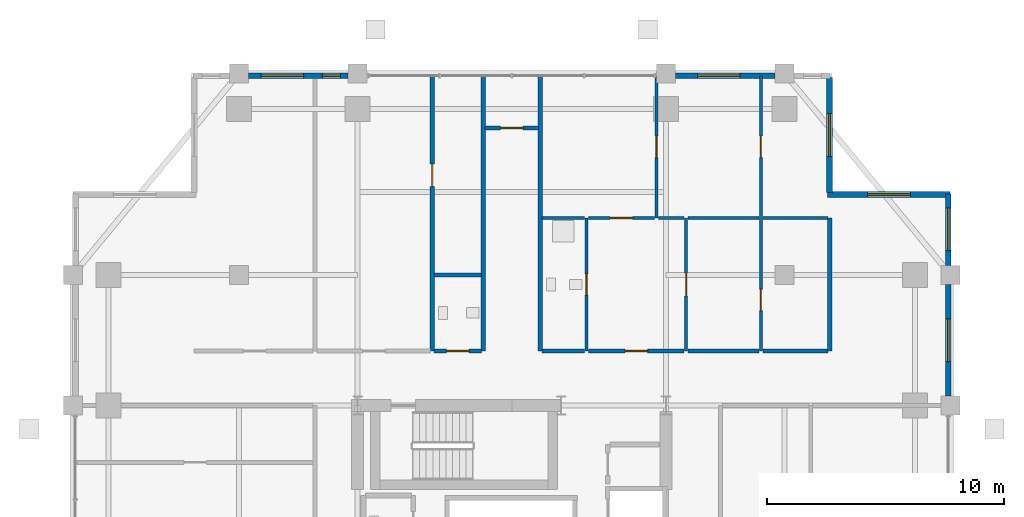
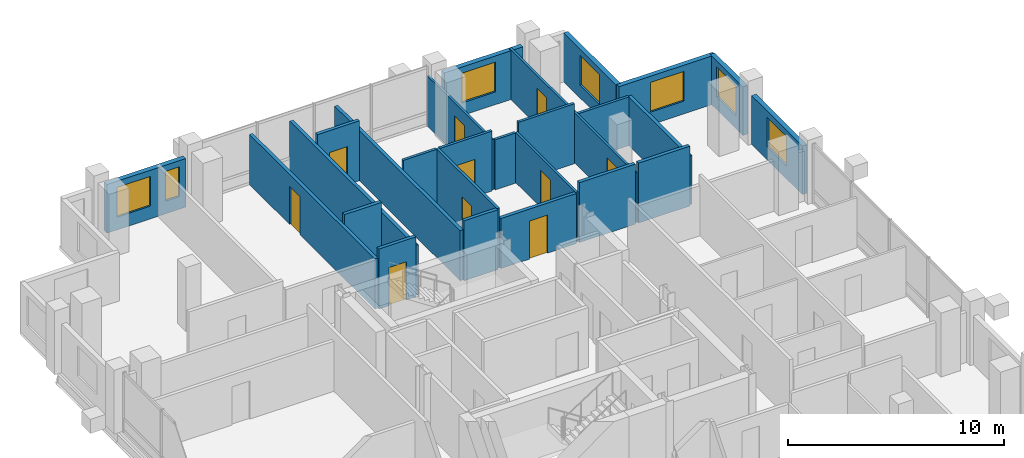
# One storey, part 21 of 24: 26 walls, 10 doors, 7 windows, 17 openings.
"""IFC4 building model written with IfcOpenShell, lengths in metres."""

from ifc_helpers import new_model, si_unit, direction, frame, frame_2d, origin, place, context, subcontext, project, spatial, rectangle, extrude, material, layer, layer_set, type_object, element, fill, save


model = new_model("IFC4")

# Units and contexts
model_context = context("Model", 3, precision=1e-05, world=origin(), true_north=direction((0.0, 1.0)))
body_context = subcontext(model_context, "Body", "Model", "MODEL_VIEW")
ifc_project = project(units=[si_unit("LENGTHUNIT", "METRE"), si_unit("AREAUNIT", "SQUARE_METRE"), si_unit("VOLUMEUNIT", "CUBIC_METRE"), si_unit("PLANEANGLEUNIT", "RADIAN"), si_unit("MASSUNIT", "GRAM", prefix="KILO")], contexts=[model_context])

# Site, building, storey
site_placement = place(None, origin())
site = spatial("IfcSite", under=ifc_project, at=site_placement, CompositionType="ELEMENT")
building_placement = place(site_placement, origin())
building = spatial("IfcBuilding", under=site, at=building_placement, Name="Barlavira Tower and Art Museum", CompositionType="ELEMENT")
storey_placement = place(building_placement, frame((0.0, 0.0, 180.0)))
storey = spatial("IfcBuildingStorey", under=building, at=storey_placement, Name="L46", CompositionType="ELEMENT", Elevation=180.0)

# Wall, opening, door
ifc_material_1 = material(Name="Gypsum acoustic stud partition", Category="gypsum")
ifc_layer_1 = layer(ifc_material_1, 0.1201171875, Name="Gypsum acoustic stud partition")
ifc_layer_set_1 = layer_set([ifc_layer_1], Name="Gypsum acoustic stud partition")
wall_type_1 = type_object("IfcWallType", Name="Apartment Internal Acoustic Partition 120", PredefinedType="PARTITIONING", material=ifc_layer_set_1)
wall_1_placement = place(storey_placement, frame((6.10009765625, 15.39990234375, 0.0), z_axis=(0.0, 0.0, 1.0), x_axis=(0.0, 1.0, 0.0)))
wall_1 = element("IfcWall", 1, at=wall_1_placement, inside=storey, type_object=wall_type_1, Name="L46 Partition Wall 16", PredefinedType="PARTITIONING", context=body_context, shape_type="SweptSolid", body=[
    extrude(rectangle(XDim=6.0, YDim=0.1201171875, at=frame_2d((3.0, 0.0))), origin(), (0.0, 0.0, 1.0), 2.825927734375),
])
opening_1_placement = place(wall_1_placement, frame((2.550048828125, 0.0, 0.0)))
opening_1 = element("IfcOpeningElement", 2, at=opening_1_placement, cuts=wall_1, Name="Opening D-01", PredefinedType="OPENING", context=body_context, shape_type="SweptSolid", body=[
    extrude(rectangle(XDim=0.89990234375, YDim=2.10009765625, at=frame_2d((0.449951171875, 1.050048828125))), frame((0.0, 0.070068359375, 0.0), z_axis=(0.0, -1.0, 0.0), x_axis=(1.0, 0.0, 0.0)), (0.0, 0.0, 1.0), 0.14013671875),
])
ifc_material_2 = material(Name="Engineered coastal hardwood", Category="wood")
door_type_1 = type_object("IfcDoorType", Name="Internal Bedroom Timber Flush Door 900x2100", OperationType="NOTDEFINED", PredefinedType="DOOR", material=ifc_material_2)
door_1_placement = place(opening_1_placement, origin())
door_1 = element("IfcDoor", 3, at=door_1_placement, inside=storey, type_object=door_type_1, Name="Apartment NE1 Bedroom 1 Door", OperationType="SINGLE_SWING_LEFT", OverallHeight=2.10009765625, OverallWidth=0.89990234375, PredefinedType="DOOR", context=body_context, shape_type="SweptSolid", body=[
    extrude(rectangle(XDim=0.89990234375, YDim=2.10009765625, at=frame_2d((0.449951171875, 1.050048828125))), frame((0.0, 0.02490234375, 0.0), z_axis=(0.0, -1.0, 0.0), x_axis=(1.0, 0.0, 0.0)), (0.0, 0.0, 1.0), 0.050048828125),
])
fill(opening_1, door_1)

wall_2_placement = place(storey_placement, frame((7.35009765625, 9.800048828125, 0.0), z_axis=(0.0, 0.0, 1.0), x_axis=(0.0, 1.0, 0.0)))
wall_2 = element("IfcWall", 4, at=wall_2_placement, inside=storey, type_object=wall_type_1, Name="L46 Partition Wall 18", PredefinedType="PARTITIONING", context=body_context, shape_type="SweptSolid", body=[
    extrude(rectangle(XDim=5.599853515625, YDim=0.1201171875, at=frame_2d((2.7998046875, 0.0))), origin(), (0.0, 0.0, 1.0), 2.825927734375),
])
opening_2_placement = place(wall_2_placement, frame((2.324951171875, 0.0, 0.0)))
opening_2 = element("IfcOpeningElement", 5, at=opening_2_placement, cuts=wall_2, Name="Opening D-02", PredefinedType="OPENING", context=body_context, shape_type="SweptSolid", body=[
    extrude(rectangle(XDim=0.949951171875, YDim=2.10009765625, at=frame_2d((0.47509765625, 1.050048828125))), frame((0.0, 0.070068359375, 0.0), z_axis=(0.0, -1.0, 0.0), x_axis=(1.0, 0.0, 0.0)), (0.0, 0.0, 1.0), 0.14013671875),
])
door_type_2 = type_object("IfcDoorType", Name="Living and Salon Glazed-Leaf Door 950x2100", OperationType="NOTDEFINED", PredefinedType="DOOR", material=ifc_material_2)
door_2_placement = place(opening_2_placement, origin())
door_2 = element("IfcDoor", 6, at=door_2_placement, inside=storey, type_object=door_type_2, Name="Apartment NE1 Kitchen Door", OperationType="SINGLE_SWING_RIGHT", OverallHeight=2.10009765625, OverallWidth=0.949951171875, PredefinedType="DOOR", context=body_context, shape_type="SweptSolid", body=[
    extrude(rectangle(XDim=0.949951171875, YDim=2.10009765625, at=frame_2d((0.47509765625, 1.050048828125))), frame((0.0, 0.02490234375, 0.0), z_axis=(0.0, -1.0, 0.0), x_axis=(1.0, 0.0, 0.0)), (0.0, 0.0, 1.0), 0.050048828125),
])
fill(opening_2, door_2)

# Wall, openings, doors
wall_3_placement = place(storey_placement, frame((10.5, 9.800048828125, 0.0), z_axis=(0.0, 0.0, 1.0), x_axis=(0.0, 1.0, 0.0)))
wall_3 = element("IfcWall", 7, at=wall_3_placement, inside=storey, type_object=wall_type_1, Name="L46 Partition Wall 21", PredefinedType="PARTITIONING", context=body_context, shape_type="SweptSolid", body=[
    extrude(rectangle(XDim=11.599853515625, YDim=0.1201171875, at=frame_2d((5.7998046875, 0.0))), origin(), (0.0, 0.0, 1.0), 2.825927734375),
])
opening_3_placement = place(wall_3_placement, frame((1.694091796875, 0.0, 0.0)))
opening_3 = element("IfcOpeningElement", 8, at=opening_3_placement, cuts=wall_3, Name="Opening D-01", PredefinedType="OPENING", context=body_context, shape_type="SweptSolid", body=[
    extrude(rectangle(XDim=0.89990234375, YDim=2.10009765625, at=frame_2d((0.449951171875, 1.050048828125))), frame((0.0, 0.070068359375, 0.0), z_axis=(0.0, -1.0, 0.0), x_axis=(1.0, 0.0, 0.0)), (0.0, 0.0, 1.0), 0.14013671875),
])
opening_4_placement = place(wall_3_placement, frame((8.14990234375, 0.0, 0.0)))
opening_4 = element("IfcOpeningElement", 9, at=opening_4_placement, cuts=wall_3, Name="Opening D-01", PredefinedType="OPENING", context=body_context, shape_type="SweptSolid", body=[
    extrude(rectangle(XDim=0.89990234375, YDim=2.10009765625, at=frame_2d((0.449951171875, 1.050048828125))), frame((0.0, 0.070068359375, 0.0), z_axis=(0.0, -1.0, 0.0), x_axis=(1.0, 0.0, 0.0)), (0.0, 0.0, 1.0), 0.14013671875),
])
door_3_placement = place(opening_3_placement, origin())
door_3 = element("IfcDoor", 10, at=door_3_placement, inside=storey, type_object=door_type_1, Name="Apartment NE1 Walk-In Dressing Room Door", OperationType="SINGLE_SWING_LEFT", OverallHeight=2.10009765625, OverallWidth=0.89990234375, PredefinedType="DOOR", context=body_context, shape_type="SweptSolid", body=[
    extrude(rectangle(XDim=0.89990234375, YDim=2.10009765625, at=frame_2d((0.449951171875, 1.050048828125))), frame((0.0, 0.02490234375, 0.0), z_axis=(0.0, -1.0, 0.0), x_axis=(1.0, 0.0, 0.0)), (0.0, 0.0, 1.0), 0.050048828125),
])
fill(opening_3, door_3)
door_4_placement = place(opening_4_placement, origin())
door_4 = element("IfcDoor", 11, at=door_4_placement, inside=storey, type_object=door_type_1, Name="Apartment NE1 Bedroom 2 Door", OperationType="SINGLE_SWING_RIGHT", OverallHeight=2.10009765625, OverallWidth=0.89990234375, PredefinedType="DOOR", context=body_context, shape_type="SweptSolid", body=[
    extrude(rectangle(XDim=0.89990234375, YDim=2.10009765625, at=frame_2d((0.449951171875, 1.050048828125))), frame((0.0, 0.02490234375, 0.0), z_axis=(0.0, -1.0, 0.0), x_axis=(1.0, 0.0, 0.0)), (0.0, 0.0, 1.0), 0.050048828125),
])
fill(opening_4, door_4)

# Wall, opening, door
ifc_layer_2 = layer(ifc_material_1, 0.179931640625, Name="Gypsum acoustic stud partition")
ifc_layer_set_2 = layer_set([ifc_layer_2], Name="Gypsum acoustic stud partition")
wall_type_2 = type_object("IfcWallType", Name="Inter-Tenancy Party Partition Wall 180", PredefinedType="PARTITIONING", material=ifc_layer_set_2)
wall_4_placement = place(storey_placement, frame((-3.35009765625, 9.800048828125, 0.0), z_axis=(0.0, 0.0, 1.0), x_axis=(0.0, 1.0, 0.0)))
wall_4 = element("IfcWall", 12, at=wall_4_placement, inside=storey, type_object=wall_type_2, Name="L46 Partition Wall 7", PredefinedType="PARTITIONING", context=body_context, shape_type="SweptSolid", body=[
    extrude(rectangle(XDim=11.599853515625, YDim=0.179931640625, at=frame_2d((5.7998046875, 0.0))), origin(), (0.0, 0.0, 1.0), 2.825927734375),
])
opening_5_placement = place(wall_4_placement, frame((6.925048828125, 0.0, 0.0)))
opening_5 = element("IfcOpeningElement", 13, at=opening_5_placement, cuts=wall_4, Name="Opening FD-60", PredefinedType="OPENING", context=body_context, shape_type="SweptSolid", body=[
    extrude(rectangle(XDim=0.949951171875, YDim=2.14990234375, at=frame_2d((0.47509765625, 1.074951171875))), frame((0.0, 0.10009765625, 0.0), z_axis=(0.0, -1.0, 0.0), x_axis=(1.0, 0.0, 0.0)), (0.0, 0.0, 1.0), 0.199951171875),
])
ifc_material_3 = material(Name="Brushed stainless steel", Category="steel")
door_type_3 = type_object("IfcDoorType", Name="Apartment Entrance and Riser Fire Door 950x2150 FD60S", OperationType="NOTDEFINED", PredefinedType="DOOR", material=ifc_material_3)
door_5_placement = place(opening_5_placement, origin())
door_5 = element("IfcDoor", 14, at=door_5_placement, inside=storey, type_object=door_type_3, Name="Thermal Relaxation Lounge Door", OperationType="SINGLE_SWING_LEFT", OverallHeight=2.14990234375, OverallWidth=0.949951171875, PredefinedType="DOOR", context=body_context, shape_type="SweptSolid", body=[
    extrude(rectangle(XDim=0.949951171875, YDim=2.14990234375, at=frame_2d((0.47509765625, 1.074951171875))), frame((0.0, 0.02490234375, 0.0), z_axis=(0.0, -1.0, 0.0), x_axis=(1.0, 0.0, 0.0)), (0.0, 0.0, 1.0), 0.050048828125),
])
fill(opening_5, door_5)

# Walls
for number, where, z_axis, x_axis, name in (
    (15, (-1.199951171875, 9.800048828125, 0.0), (0.0, 0.0, 1.0), (0.0, 1.0, 0.0), "L46 Partition Wall 9"),
    (16, (1.199951171875, 9.800048828125, 0.0), (0.0, 0.0, 1.0), (0.0, 1.0, 0.0), "L46 Partition Wall 11"),
):
    element("IfcWall", number, at=place(storey_placement, frame(where, z_axis=z_axis, x_axis=x_axis)), inside=storey, type_object=wall_type_2, Name=name, PredefinedType="PARTITIONING", context=body_context, shape_type="SweptSolid", body=[
        extrude(rectangle(XDim=11.599853515625, YDim=0.179931640625, at=frame_2d((5.7998046875, 0.0))), origin(), (0.0, 0.0, 1.0), 2.825927734375),
    ])
wall_5_placement = place(storey_placement, frame((13.39990234375, 9.800048828125, 0.0), z_axis=(0.0, 0.0, 1.0), x_axis=(0.0, 1.0, 0.0)))
element("IfcWall", 17, at=wall_5_placement, inside=storey, type_object=wall_type_2, Name="L46 Partition Wall 24", PredefinedType="PARTITIONING", context=body_context, shape_type="SweptSolid", body=[
    extrude(rectangle(XDim=5.599853515625, YDim=0.179931640625, at=frame_2d((2.7998046875, 0.0))), origin(), (0.0, 0.0, 1.0), 2.748046875),
])

# Wall, opening, door
wall_6_placement = place(storey_placement, frame((-3.27001953125, 9.800048828125, 0.0), z_axis=(0.0, 0.0, 1.0), x_axis=(1.0, 0.0, 0.0)))
wall_6 = element("IfcWall", 18, at=wall_6_placement, inside=storey, type_object=wall_type_2, Name="L46 Partition Wall 57", PredefinedType="PARTITIONING", context=body_context, shape_type="SweptSolid", body=[
    extrude(rectangle(XDim=1.989990234375, YDim=0.179931640625, at=frame_2d((0.9951171875, 0.0))), origin(), (0.0, 0.0, 1.0), 3.3798828125),
])
opening_6_placement = place(wall_6_placement, frame((0.52490234375, 0.0, 0.0)))
opening_6 = element("IfcOpeningElement", 19, at=opening_6_placement, cuts=wall_6, Name="Opening FD-60", PredefinedType="OPENING", context=body_context, shape_type="SweptSolid", body=[
    extrude(rectangle(XDim=0.949951171875, YDim=2.14990234375, at=frame_2d((0.47509765625, 1.074951171875))), frame((0.0, 0.10009765625, 0.0), z_axis=(0.0, -1.0, 0.0), x_axis=(1.0, 0.0, 0.0)), (0.0, 0.0, 1.0), 0.199951171875),
])
door_6_placement = place(opening_6_placement, origin())
door_6 = element("IfcDoor", 20, at=door_6_placement, inside=storey, type_object=door_type_3, Name="Wellness Changing and Accessible Shower WC Door", OperationType="SINGLE_SWING_RIGHT", OverallHeight=2.14990234375, OverallWidth=0.949951171875, PredefinedType="DOOR", context=body_context, shape_type="SweptSolid", body=[
    extrude(rectangle(XDim=0.949951171875, YDim=2.14990234375, at=frame_2d((0.47509765625, 1.074951171875))), frame((0.0, 0.02490234375, 0.0), z_axis=(0.0, -1.0, 0.0), x_axis=(1.0, 0.0, 0.0)), (0.0, 0.0, 1.0), 0.050048828125),
])
fill(opening_6, door_6)

# Wall
wall_7_placement = place(storey_placement, frame((1.280029296875, 9.800048828125, 0.0), z_axis=(0.0, 0.0, 1.0), x_axis=(1.0, 0.0, 0.0)))
element("IfcWall", 21, at=wall_7_placement, inside=storey, type_object=wall_type_2, Name="L46 Partition Wall 58", PredefinedType="PARTITIONING", context=body_context, shape_type="SweptSolid", body=[
    extrude(rectangle(XDim=1.7900390625, YDim=0.179931640625, at=frame_2d((0.89501953125, 0.0))), origin(), (0.0, 0.0, 1.0), 3.3798828125),
])

# Wall, opening, door
wall_8_placement = place(storey_placement, frame((3.22998046875, 9.800048828125, 0.0), z_axis=(0.0, 0.0, 1.0), x_axis=(1.0, 0.0, 0.0)))
wall_8 = element("IfcWall", 22, at=wall_8_placement, inside=storey, type_object=wall_type_2, Name="L46 Partition Wall 59", PredefinedType="PARTITIONING", context=body_context, shape_type="SweptSolid", body=[
    extrude(rectangle(XDim=4.0400390625, YDim=0.179931640625, at=frame_2d((2.02001953125, 0.0))), origin(), (0.0, 0.0, 1.0), 2.825927734375),
])
opening_7_placement = place(wall_8_placement, frame((1.544921875, 0.0, 0.0)))
opening_7 = element("IfcOpeningElement", 23, at=opening_7_placement, cuts=wall_8, Name="Opening FD-60", PredefinedType="OPENING", context=body_context, shape_type="SweptSolid", body=[
    extrude(rectangle(XDim=0.949951171875, YDim=2.14990234375, at=frame_2d((0.47509765625, 1.074951171875))), frame((0.0, 0.10009765625, 0.0), z_axis=(0.0, -1.0, 0.0), x_axis=(1.0, 0.0, 0.0)), (0.0, 0.0, 1.0), 0.199951171875),
])
door_7_placement = place(opening_7_placement, origin())
door_7 = element("IfcDoor", 24, at=door_7_placement, inside=storey, type_object=door_type_3, Name="Apartment Entrance Hall NE1 Door", OperationType="SINGLE_SWING_LEFT", OverallHeight=2.14990234375, OverallWidth=0.949951171875, PredefinedType="DOOR", context=body_context, shape_type="SweptSolid", body=[
    extrude(rectangle(XDim=0.949951171875, YDim=2.14990234375, at=frame_2d((0.47509765625, 1.074951171875))), frame((0.0, 0.02490234375, 0.0), z_axis=(0.0, -1.0, 0.0), x_axis=(1.0, 0.0, 0.0)), (0.0, 0.0, 1.0), 0.050048828125),
])
fill(opening_7, door_7)

# Walls
wall_9_placement = place(storey_placement, frame((7.429931640625, 9.800048828125, 0.0), z_axis=(0.0, 0.0, 1.0), x_axis=(1.0, 0.0, 0.0)))
element("IfcWall", 25, at=wall_9_placement, inside=storey, type_object=wall_type_2, Name="L46 Partition Wall 60", PredefinedType="PARTITIONING", context=body_context, shape_type="SweptSolid", body=[
    extrude(rectangle(XDim=2.989990234375, YDim=0.179931640625, at=frame_2d((1.4951171875, 0.0))), origin(), (0.0, 0.0, 1.0), 3.3798828125),
])
wall_10_placement = place(storey_placement, frame((10.580078125, 9.800048828125, 0.0), z_axis=(0.0, 0.0, 1.0), x_axis=(1.0, 0.0, 0.0)))
element("IfcWall", 26, at=wall_10_placement, inside=storey, type_object=wall_type_2, Name="L46 Partition Wall 61", PredefinedType="PARTITIONING", context=body_context, shape_type="SweptSolid", body=[
    extrude(rectangle(XDim=2.739990234375, YDim=0.179931640625, at=frame_2d((1.3701171875, 0.0))), origin(), (0.0, 0.0, 1.0), 3.3798828125),
])
wall_11_placement = place(storey_placement, frame((-3.27001953125, 13.0, 0.0), z_axis=(0.0, 0.0, 1.0), x_axis=(1.0, 0.0, 0.0)))
element("IfcWall", 27, at=wall_11_placement, inside=storey, type_object=wall_type_2, Name="L46 Partition Wall 62", PredefinedType="PARTITIONING", context=body_context, shape_type="SweptSolid", body=[
    extrude(rectangle(XDim=1.989990234375, YDim=0.179931640625, at=frame_2d((0.9951171875, 0.0))), origin(), (0.0, 0.0, 1.0), 3.3798828125),
])

# Wall, opening, door
wall_12_placement = place(storey_placement, frame((-1.1201171875, 19.199951171875, 0.0), z_axis=(0.0, 0.0, 1.0), x_axis=(1.0, 0.0, 0.0)))
wall_12 = element("IfcWall", 28, at=wall_12_placement, inside=storey, type_object=wall_type_2, Name="L46 Partition Wall 68", PredefinedType="PARTITIONING", context=body_context, shape_type="SweptSolid", body=[
    extrude(rectangle(XDim=2.240234375, YDim=0.179931640625, at=frame_2d((1.1201171875, 0.0))), origin(), (0.0, 0.0, 1.0), 3.3798828125),
])
opening_8_placement = place(wall_12_placement, frame((0.64501953125, 0.0, 0.0)))
opening_8 = element("IfcOpeningElement", 29, at=opening_8_placement, cuts=wall_12, Name="Opening FD-60", PredefinedType="OPENING", context=body_context, shape_type="SweptSolid", body=[
    extrude(rectangle(XDim=0.949951171875, YDim=2.14990234375, at=frame_2d((0.47509765625, 1.074951171875))), frame((0.0, 0.10009765625, 0.0), z_axis=(0.0, -1.0, 0.0), x_axis=(1.0, 0.0, 0.0)), (0.0, 0.0, 1.0), 0.199951171875),
])
door_8_placement = place(opening_8_placement, origin())
door_8 = element("IfcDoor", 30, at=door_8_placement, inside=storey, type_object=door_type_3, Name="L46 North Ocean Alcove Door", OperationType="SINGLE_SWING_LEFT", OverallHeight=2.14990234375, OverallWidth=0.949951171875, PredefinedType="DOOR", context=body_context, shape_type="SweptSolid", body=[
    extrude(rectangle(XDim=0.949951171875, YDim=2.14990234375, at=frame_2d((0.47509765625, 1.074951171875))), frame((0.0, 0.02490234375, 0.0), z_axis=(0.0, -1.0, 0.0), x_axis=(1.0, 0.0, 0.0)), (0.0, 0.0, 1.0), 0.050048828125),
])
fill(opening_8, door_8)

ifc_layer_3 = layer(ifc_material_1, 0.139892578125, Name="Gypsum acoustic stud partition")
ifc_layer_set_3 = layer_set([ifc_layer_3], Name="Gypsum acoustic stud partition")
wall_type_3 = type_object("IfcWallType", Name="Moisture-Resistant Bathroom Partition 140", PredefinedType="PARTITIONING", material=ifc_layer_set_3)
wall_13_placement = place(storey_placement, frame((3.14990234375, 9.800048828125, 0.0), z_axis=(0.0, 0.0, 1.0), x_axis=(0.0, 1.0, 0.0)))
wall_13 = element("IfcWall", 31, at=wall_13_placement, inside=storey, type_object=wall_type_3, Name="L46 Partition Wall 13", PredefinedType="PARTITIONING", context=body_context, shape_type="SweptSolid", body=[
    extrude(rectangle(XDim=5.599853515625, YDim=0.139892578125, at=frame_2d((2.7998046875, 0.0))), origin(), (0.0, 0.0, 1.0), 3.3798828125),
])
opening_9_placement = place(wall_13_placement, frame((2.35009765625, 0.0, 0.0)))
opening_9 = element("IfcOpeningElement", 32, at=opening_9_placement, cuts=wall_13, Name="Opening D-WC", PredefinedType="OPENING", context=body_context, shape_type="SweptSolid", body=[
    extrude(rectangle(XDim=0.89990234375, YDim=2.10009765625, at=frame_2d((0.449951171875, 1.050048828125))), frame((0.0, 0.080078125, 0.0), z_axis=(0.0, -1.0, 0.0), x_axis=(1.0, 0.0, 0.0)), (0.0, 0.0, 1.0), 0.159912109375),
])
door_type_4 = type_object("IfcDoorType", Name="Accessible Bathroom Flush Door 900x2100", OperationType="NOTDEFINED", PredefinedType="DOOR", material=ifc_material_2)
door_9_placement = place(opening_9_placement, origin())
door_9 = element("IfcDoor", 33, at=door_9_placement, inside=storey, type_object=door_type_4, Name="Apartment NE1 Hall Bathroom Door", OperationType="SINGLE_SWING_RIGHT", OverallHeight=2.10009765625, OverallWidth=0.89990234375, PredefinedType="DOOR", context=body_context, shape_type="SweptSolid", body=[
    extrude(rectangle(XDim=0.89990234375, YDim=2.10009765625, at=frame_2d((0.449951171875, 1.050048828125))), frame((0.0, 0.02490234375, 0.0), z_axis=(0.0, -1.0, 0.0), x_axis=(1.0, 0.0, 0.0)), (0.0, 0.0, 1.0), 0.050048828125),
])
fill(opening_9, door_9)

# Wall
wall_14_placement = place(storey_placement, frame((1.280029296875, 15.39990234375, 0.0), z_axis=(0.0, 0.0, 1.0), x_axis=(1.0, 0.0, 0.0)))
element("IfcWall", 34, at=wall_14_placement, inside=storey, type_object=wall_type_3, Name="L46 Partition Wall 63", PredefinedType="PARTITIONING", context=body_context, shape_type="SweptSolid", body=[
    extrude(rectangle(XDim=1.7900390625, YDim=0.139892578125, at=frame_2d((0.89501953125, 0.0))), origin(), (0.0, 0.0, 1.0), 3.3798828125),
])

# Wall, opening, door
wall_15_placement = place(storey_placement, frame((3.22998046875, 15.39990234375, 0.0), z_axis=(0.0, 0.0, 1.0), x_axis=(1.0, 0.0, 0.0)))
wall_15 = element("IfcWall", 35, at=wall_15_placement, inside=storey, type_object=wall_type_3, Name="L46 Partition Wall 64", PredefinedType="PARTITIONING", context=body_context, shape_type="SweptSolid", body=[
    extrude(rectangle(XDim=2.7900390625, YDim=0.139892578125, at=frame_2d((1.39501953125, 0.0))), origin(), (0.0, 0.0, 1.0), 3.3798828125),
])
opening_10_placement = place(wall_15_placement, frame((0.9150390625, 0.0, 0.0)))
opening_10 = element("IfcOpeningElement", 36, at=opening_10_placement, cuts=wall_15, Name="Opening D-02", PredefinedType="OPENING", context=body_context, shape_type="SweptSolid", body=[
    extrude(rectangle(XDim=0.949951171875, YDim=2.10009765625, at=frame_2d((0.47509765625, 1.050048828125))), frame((0.0, 0.080078125, 0.0), z_axis=(0.0, -1.0, 0.0), x_axis=(1.0, 0.0, 0.0)), (0.0, 0.0, 1.0), 0.159912109375),
])
door_10_placement = place(opening_10_placement, origin())
door_10 = element("IfcDoor", 37, at=door_10_placement, inside=storey, type_object=door_type_2, Name="Apartment NE1 Living Lounge Door", OperationType="SINGLE_SWING_RIGHT", OverallHeight=2.10009765625, OverallWidth=0.949951171875, PredefinedType="DOOR", context=body_context, shape_type="SweptSolid", body=[
    extrude(rectangle(XDim=0.949951171875, YDim=2.10009765625, at=frame_2d((0.47509765625, 1.050048828125))), frame((0.0, 0.02490234375, 0.0), z_axis=(0.0, -1.0, 0.0), x_axis=(1.0, 0.0, 0.0)), (0.0, 0.0, 1.0), 0.050048828125),
])
fill(opening_10, door_10)

# Walls
wall_16_placement = place(storey_placement, frame((6.179931640625, 15.39990234375, 0.0), z_axis=(0.0, 0.0, 1.0), x_axis=(1.0, 0.0, 0.0)))
element("IfcWall", 38, at=wall_16_placement, inside=storey, type_object=wall_type_3, Name="L46 Partition Wall 65", PredefinedType="PARTITIONING", context=body_context, shape_type="SweptSolid", body=[
    extrude(rectangle(XDim=1.090087890625, YDim=0.139892578125, at=frame_2d((0.544921875, 0.0))), origin(), (0.0, 0.0, 1.0), 2.825927734375),
])
wall_17_placement = place(storey_placement, frame((7.429931640625, 15.39990234375, 0.0), z_axis=(0.0, 0.0, 1.0), x_axis=(1.0, 0.0, 0.0)))
element("IfcWall", 39, at=wall_17_placement, inside=storey, type_object=wall_type_3, Name="L46 Partition Wall 66", PredefinedType="PARTITIONING", context=body_context, shape_type="SweptSolid", body=[
    extrude(rectangle(XDim=2.989990234375, YDim=0.139892578125, at=frame_2d((1.4951171875, 0.0))), origin(), (0.0, 0.0, 1.0), 3.3798828125),
])
wall_18_placement = place(storey_placement, frame((10.580078125, 15.39990234375, 0.0), z_axis=(0.0, 0.0, 1.0), x_axis=(1.0, 0.0, 0.0)))
element("IfcWall", 40, at=wall_18_placement, inside=storey, type_object=wall_type_3, Name="L46 Partition Wall 67", PredefinedType="PARTITIONING", context=body_context, shape_type="SweptSolid", body=[
    extrude(rectangle(XDim=2.739990234375, YDim=0.139892578125, at=frame_2d((1.3701171875, 0.0))), origin(), (0.0, 0.0, 1.0), 2.748046875),
])

# Wall, opening, window
ifc_material_4 = material(Name="Precast concrete C40", Category="concrete")
ifc_layer_4 = layer(ifc_material_4, 0.25, Name="Precast concrete C40")
ifc_layer_set_4 = layer_set([ifc_layer_4], Name="Precast concrete C40")
wall_type_4 = type_object("IfcWallType", Name="Notched Corner Spandrel Wall 250 Precast Concrete C40", PredefinedType="SOLIDWALL", material=ifc_layer_set_4)
wall_19_placement = place(storey_placement, frame((11.10498046875, 21.39990234375, 0.0), z_axis=(0.0, 0.0, 1.0), x_axis=(-1.0, 0.0, 0.0)))
wall_19 = element("IfcWall", 41, at=wall_19_placement, inside=storey, type_object=wall_type_4, Name="L46 Coastal Facade Pier Wall CW3-L46-N-2", PredefinedType="SOLIDWALL", context=body_context, shape_type="SweptSolid", body=[
    extrude(rectangle(XDim=4.2099609375, YDim=0.25, at=frame_2d((2.10498046875, 0.0))), origin(), (0.0, 0.0, 1.0), 2.748046875),
])
opening_11_placement = place(wall_19_placement, frame((1.47509765625, 0.0, 0.719970703125)))
opening_11 = element("IfcOpeningElement", 42, at=opening_11_placement, cuts=wall_19, Name="Opening WN-01", PredefinedType="OPENING", context=body_context, shape_type="SweptSolid", body=[
    extrude(rectangle(XDim=1.800048828125, YDim=1.679931640625, at=frame_2d((0.89990234375, 0.83984375))), frame((0.0, 0.135009765625, 0.0), z_axis=(0.0, -1.0, 0.0), x_axis=(1.0, 0.0, 0.0)), (0.0, 0.0, 1.0), 0.27001953125),
])
ifc_material_5 = material(Name="Low-iron coastal laminated glass", Category="glass")
window_type_1 = type_object("IfcWindowType", Name="Recessed Notch Corner Punch Window 1800x1680", PartitioningType="SINGLE_PANEL", PredefinedType="WINDOW", material=ifc_material_5)
window_1_placement = place(opening_11_placement, origin())
window_1 = element("IfcWindow", 43, at=window_1_placement, inside=storey, type_object=window_type_1, Name="L46 Punched Facade Window EWP-CW3-L46-N-2-1", OverallHeight=1.679931640625, OverallWidth=1.800048828125, PartitioningType="SINGLE_PANEL", PredefinedType="WINDOW", context=body_context, shape_type="SweptSolid", body=[
    extrude(rectangle(XDim=1.800048828125, YDim=1.679931640625, at=frame_2d((0.89990234375, 0.83984375))), frame((0.0, 0.030029296875, 0.0), z_axis=(0.0, -1.0, 0.0), x_axis=(1.0, 0.0, 0.0)), (0.0, 0.0, 1.0), 0.06005859375),
])
fill(opening_11, window_1)

# Wall, openings, windows
wall_20_placement = place(storey_placement, frame((-6.89501953125, 21.39990234375, 0.0), z_axis=(0.0, 0.0, 1.0), x_axis=(-1.0, 0.0, 0.0)))
wall_20 = element("IfcWall", 44, at=wall_20_placement, inside=storey, type_object=wall_type_4, Name="L46 Coastal Facade Pier Wall CW3-L46-N-4", PredefinedType="SOLIDWALL", context=body_context, shape_type="SweptSolid", body=[
    extrude(rectangle(XDim=4.2099609375, YDim=0.25, at=frame_2d((2.10498046875, 0.0))), origin(), (0.0, 0.0, 1.0), 2.748046875),
])
opening_12_placement = place(wall_20_placement, frame((0.3349609375, 0.0, 0.719970703125)))
opening_12 = element("IfcOpeningElement", 45, at=opening_12_placement, cuts=wall_20, Name="Opening WN-06", PredefinedType="OPENING", context=body_context, shape_type="SweptSolid", body=[
    extrude(rectangle(XDim=0.760009765625, YDim=1.679931640625, at=frame_2d((0.3798828125, 0.83984375))), frame((0.0, 0.135009765625, 0.0), z_axis=(0.0, -1.0, 0.0), x_axis=(1.0, 0.0, 0.0)), (0.0, 0.0, 1.0), 0.27001953125),
])
opening_13_placement = place(wall_20_placement, frame((1.875, 0.0, 0.719970703125)))
opening_13 = element("IfcOpeningElement", 46, at=opening_13_placement, cuts=wall_20, Name="Opening WN-01", PredefinedType="OPENING", context=body_context, shape_type="SweptSolid", body=[
    extrude(rectangle(XDim=1.800048828125, YDim=1.679931640625, at=frame_2d((0.89990234375, 0.83984375))), frame((0.0, 0.135009765625, 0.0), z_axis=(0.0, -1.0, 0.0), x_axis=(1.0, 0.0, 0.0)), (0.0, 0.0, 1.0), 0.27001953125),
])
window_type_2 = type_object("IfcWindowType", Name="Recessed Narrow Pier Window 760x1680", PartitioningType="SINGLE_PANEL", PredefinedType="WINDOW", material=ifc_material_5)
window_2_placement = place(opening_12_placement, origin())
window_2 = element("IfcWindow", 47, at=window_2_placement, inside=storey, type_object=window_type_2, Name="L46 Punched Facade Window EWP-CW3-L46-N-4-1", OverallHeight=1.679931640625, OverallWidth=0.760009765625, PartitioningType="SINGLE_PANEL", PredefinedType="WINDOW", context=body_context, shape_type="SweptSolid", body=[
    extrude(rectangle(XDim=0.760009765625, YDim=1.679931640625, at=frame_2d((0.3798828125, 0.83984375))), frame((0.0, 0.030029296875, 0.0), z_axis=(0.0, -1.0, 0.0), x_axis=(1.0, 0.0, 0.0)), (0.0, 0.0, 1.0), 0.06005859375),
])
fill(opening_12, window_2)
window_3_placement = place(opening_13_placement, origin())
window_3 = element("IfcWindow", 48, at=window_3_placement, inside=storey, type_object=window_type_1, Name="L46 Punched Facade Window EWP-CW3-L46-N-4-2", OverallHeight=1.679931640625, OverallWidth=1.800048828125, PartitioningType="SINGLE_PANEL", PredefinedType="WINDOW", context=body_context, shape_type="SweptSolid", body=[
    extrude(rectangle(XDim=1.800048828125, YDim=1.679931640625, at=frame_2d((0.89990234375, 0.83984375))), frame((0.0, 0.030029296875, 0.0), z_axis=(0.0, -1.0, 0.0), x_axis=(1.0, 0.0, 0.0)), (0.0, 0.0, 1.0), 0.06005859375),
])
fill(opening_13, window_3)

# Wall, opening, window
wall_21_placement = place(storey_placement, frame((18.39990234375, 7.89501953125, 0.0), z_axis=(0.0, 0.0, 1.0), x_axis=(0.0, 1.0, 0.0)))
wall_21 = element("IfcWall", 49, at=wall_21_placement, inside=storey, type_object=wall_type_4, Name="L46 Coastal Facade Pier Wall CW3-L46-E-4", PredefinedType="SOLIDWALL", context=body_context, shape_type="SweptSolid", body=[
    extrude(rectangle(XDim=4.7099609375, YDim=0.25, at=frame_2d((2.35498046875, 0.0))), origin(), (0.0, 0.0, 1.0), 2.748046875),
])
opening_14_placement = place(wall_21_placement, frame((1.455078125, 0.0, 0.719970703125)))
opening_14 = element("IfcOpeningElement", 50, at=opening_14_placement, cuts=wall_21, Name="Opening WN-01", PredefinedType="OPENING", context=body_context, shape_type="SweptSolid", body=[
    extrude(rectangle(XDim=1.800048828125, YDim=1.679931640625, at=frame_2d((0.89990234375, 0.83984375))), frame((0.0, 0.135009765625, 0.0), z_axis=(0.0, -1.0, 0.0), x_axis=(1.0, 0.0, 0.0)), (0.0, 0.0, 1.0), 0.27001953125),
])
window_4_placement = place(opening_14_placement, origin())
window_4 = element("IfcWindow", 51, at=window_4_placement, inside=storey, type_object=window_type_1, Name="L46 Punched Facade Window EWP-CW3-L46-E-4-1", OverallHeight=1.679931640625, OverallWidth=1.800048828125, PartitioningType="SINGLE_PANEL", PredefinedType="WINDOW", context=body_context, shape_type="SweptSolid", body=[
    extrude(rectangle(XDim=1.800048828125, YDim=1.679931640625, at=frame_2d((0.89990234375, 0.83984375))), frame((0.0, 0.030029296875, 0.0), z_axis=(0.0, -1.0, 0.0), x_axis=(1.0, 0.0, 0.0)), (0.0, 0.0, 1.0), 0.06005859375),
])
fill(opening_14, window_4)

wall_22_placement = place(storey_placement, frame((18.39990234375, 13.39501953125, 0.0), z_axis=(0.0, 0.0, 1.0), x_axis=(0.0, 1.0, 0.0)))
wall_22 = element("IfcWall", 52, at=wall_22_placement, inside=storey, type_object=wall_type_4, Name="L46 Coastal Facade Pier Wall CW3-L46-E-5", PredefinedType="SOLIDWALL", context=body_context, shape_type="SweptSolid", body=[
    extrude(rectangle(XDim=3.030029296875, YDim=0.25, at=frame_2d((1.51513671875, 0.0))), origin(), (0.0, 0.0, 1.0), 2.748046875),
])
opening_15_placement = place(wall_22_placement, frame((0.637939453125, 0.0, 0.719970703125)))
opening_15 = element("IfcOpeningElement", 53, at=opening_15_placement, cuts=wall_22, Name="Opening WN-01", PredefinedType="OPENING", context=body_context, shape_type="SweptSolid", body=[
    extrude(rectangle(XDim=1.800048828125, YDim=1.679931640625, at=frame_2d((0.89990234375, 0.83984375))), frame((0.0, 0.135009765625, 0.0), z_axis=(0.0, -1.0, 0.0), x_axis=(1.0, 0.0, 0.0)), (0.0, 0.0, 1.0), 0.27001953125),
])
window_5_placement = place(opening_15_placement, origin())
window_5 = element("IfcWindow", 54, at=window_5_placement, inside=storey, type_object=window_type_1, Name="L46 Punched Facade Window EWP-CW3-L46-E-5-1", OverallHeight=1.679931640625, OverallWidth=1.800048828125, PartitioningType="SINGLE_PANEL", PredefinedType="WINDOW", context=body_context, shape_type="SweptSolid", body=[
    extrude(rectangle(XDim=1.800048828125, YDim=1.679931640625, at=frame_2d((0.89990234375, 0.83984375))), frame((0.0, 0.030029296875, 0.0), z_axis=(0.0, -1.0, 0.0), x_axis=(1.0, 0.0, 0.0)), (0.0, 0.0, 1.0), 0.06005859375),
])
fill(opening_15, window_5)

wall_23_placement = place(storey_placement, frame((18.47998046875, 16.39990234375, 0.0), z_axis=(0.0, 0.0, 1.0), x_axis=(-1.0, 0.0, 0.0)))
wall_23 = element("IfcWall", 55, at=wall_23_placement, inside=storey, type_object=wall_type_4, Name="L46 Notch Corner Wall NE1", PredefinedType="SOLIDWALL", context=body_context, shape_type="SweptSolid", body=[
    extrude(rectangle(XDim=5.159912109375, YDim=0.25, at=frame_2d((2.580078125, 0.0))), origin(), (0.0, 0.0, 1.0), 2.748046875),
])
opening_16_placement = place(wall_23_placement, frame((1.679931640625, 0.0, 0.719970703125)))
opening_16 = element("IfcOpeningElement", 56, at=opening_16_placement, cuts=wall_23, Name="Opening WN-01", PredefinedType="OPENING", context=body_context, shape_type="SweptSolid", body=[
    extrude(rectangle(XDim=1.800048828125, YDim=1.679931640625, at=frame_2d((0.89990234375, 0.83984375))), frame((0.0, 0.135009765625, 0.0), z_axis=(0.0, -1.0, 0.0), x_axis=(1.0, 0.0, 0.0)), (0.0, 0.0, 1.0), 0.27001953125),
])
window_6_placement = place(opening_16_placement, origin())
window_6 = element("IfcWindow", 57, at=window_6_placement, inside=storey, type_object=window_type_1, Name="L46 Punched Facade Window EW-NTC-L46-NE1-1", OverallHeight=1.679931640625, OverallWidth=1.800048828125, PartitioningType="SINGLE_PANEL", PredefinedType="WINDOW", context=body_context, shape_type="SweptSolid", body=[
    extrude(rectangle(XDim=1.800048828125, YDim=1.679931640625, at=frame_2d((0.89990234375, 0.83984375))), frame((0.0, 0.030029296875, 0.0), z_axis=(0.0, -1.0, 0.0), x_axis=(1.0, 0.0, 0.0)), (0.0, 0.0, 1.0), 0.06005859375),
])
fill(opening_16, window_6)

wall_24_placement = place(storey_placement, frame((13.39990234375, 16.47998046875, 0.0), z_axis=(0.0, 0.0, 1.0), x_axis=(0.0, 1.0, 0.0)))
wall_24 = element("IfcWall", 58, at=wall_24_placement, inside=storey, type_object=wall_type_4, Name="L46 Notch Corner Wall NE2", PredefinedType="SOLIDWALL", context=body_context, shape_type="SweptSolid", body=[
    extrude(rectangle(XDim=4.840087890625, YDim=0.25, at=frame_2d((2.419921875, 0.0))), origin(), (0.0, 0.0, 1.0), 2.748046875),
])
opening_17_placement = place(wall_24_placement, frame((1.52001953125, 0.0, 0.719970703125)))
opening_17 = element("IfcOpeningElement", 59, at=opening_17_placement, cuts=wall_24, Name="Opening WN-01", PredefinedType="OPENING", context=body_context, shape_type="SweptSolid", body=[
    extrude(rectangle(XDim=1.800048828125, YDim=1.679931640625, at=frame_2d((0.89990234375, 0.83984375))), frame((0.0, 0.135009765625, 0.0), z_axis=(0.0, -1.0, 0.0), x_axis=(1.0, 0.0, 0.0)), (0.0, 0.0, 1.0), 0.27001953125),
])
window_7_placement = place(opening_17_placement, origin())
window_7 = element("IfcWindow", 60, at=window_7_placement, inside=storey, type_object=window_type_1, Name="L46 Punched Facade Window EW-NTC-L46-NE2-1", OverallHeight=1.679931640625, OverallWidth=1.800048828125, PartitioningType="SINGLE_PANEL", PredefinedType="WINDOW", context=body_context, shape_type="SweptSolid", body=[
    extrude(rectangle(XDim=1.800048828125, YDim=1.679931640625, at=frame_2d((0.89990234375, 0.83984375))), frame((0.0, 0.030029296875, 0.0), z_axis=(0.0, -1.0, 0.0), x_axis=(1.0, 0.0, 0.0)), (0.0, 0.0, 1.0), 0.06005859375),
])
fill(opening_17, window_7)

save(model, "model.ifc")
